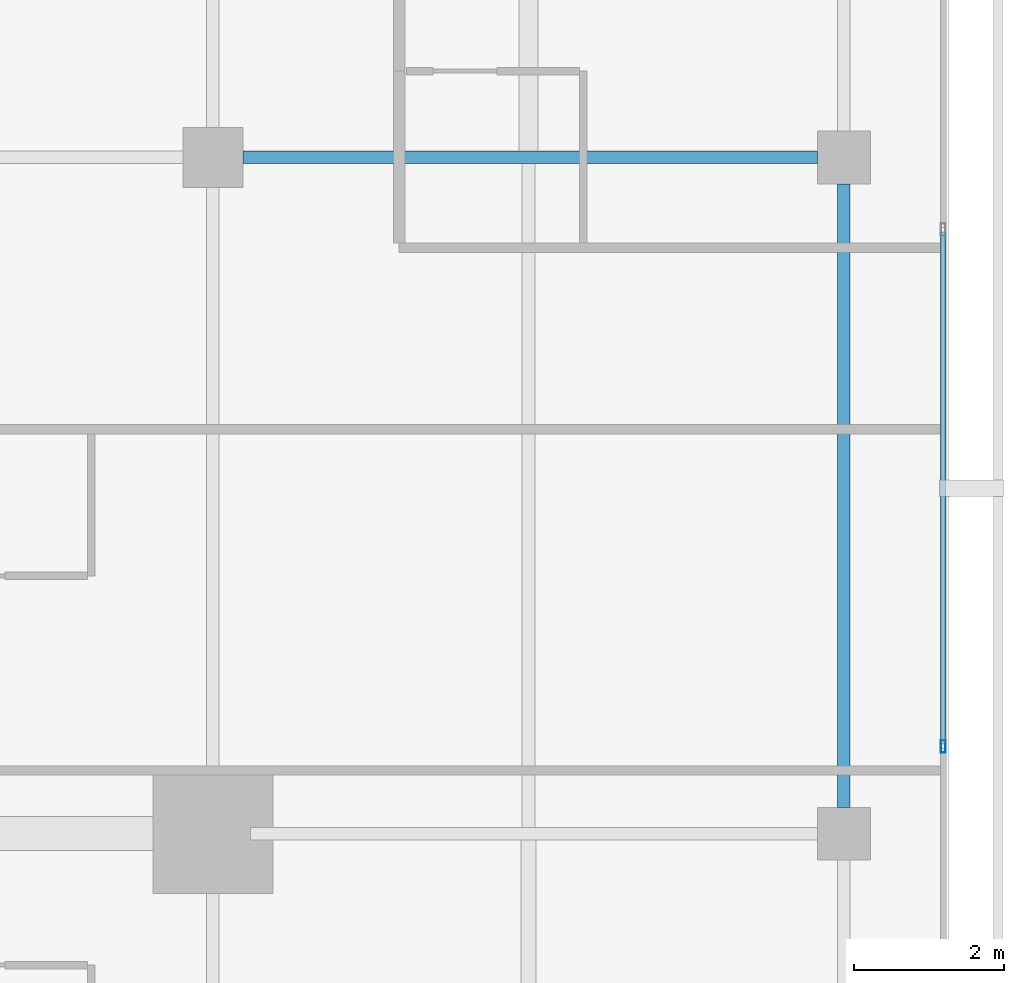
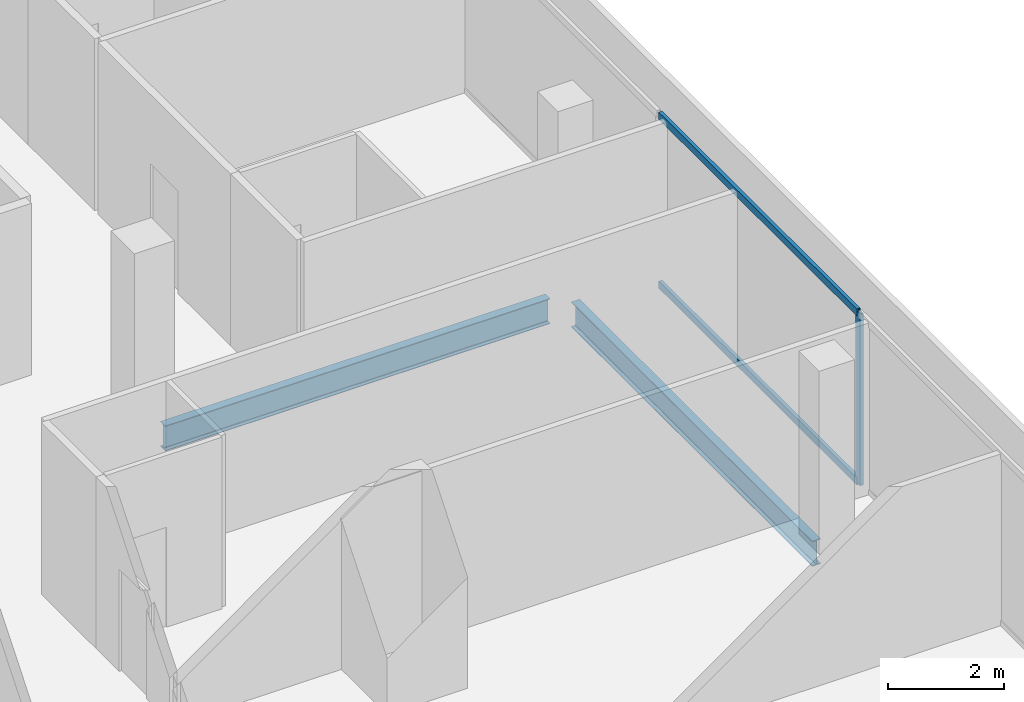
# One storey, part 14 of 26: 3 members, 2 beams, 1 element without a shape of its own.
"""IFC4 building model written with IfcOpenShell, lengths in metres."""

from ifc_helpers import new_model, si_unit, direction, frame, origin, origin_2d, place, context, subcontext, project, spatial, hollow_rectangle, i_section, extrude, material, layer, layer_set, material_profile, profile_set, type_object, element, aggregate, save


model = new_model("IFC4")

# Units and contexts
model_context = context("Model", 3, precision=1e-05, world=origin(), true_north=direction((0.0, 1.0)))
body_context = subcontext(model_context, "Body", "Model", "MODEL_VIEW")
ifc_project = project(units=[si_unit("LENGTHUNIT", "METRE"), si_unit("AREAUNIT", "SQUARE_METRE"), si_unit("VOLUMEUNIT", "CUBIC_METRE"), si_unit("PLANEANGLEUNIT", "RADIAN"), si_unit("MASSUNIT", "GRAM", prefix="KILO")], contexts=[model_context])

# Site, building, storey
site_placement = place(None, origin())
site = spatial("IfcSite", under=ifc_project, at=site_placement, CompositionType="ELEMENT")
building_placement = place(site_placement, origin())
building = spatial("IfcBuilding", under=site, at=building_placement, Name="Maruvema Waterfront Hotel and Observation Tower", CompositionType="ELEMENT")
storey_placement = place(building_placement, frame((0.0, 0.0, 301.0)))
storey = spatial("IfcBuildingStorey", under=building, at=storey_placement, Name="L74", CompositionType="ELEMENT", Elevation=301.0)

# Curtain wall, members
ifc_material_1 = material(Name="Anodised bronze aluminium and solar-control low-E IGU", Category="aluminium")
ifc_layer = layer(ifc_material_1, 0.159912109375, Name="Zone 3 Champagne Inner Thermal Curtain Wall System CW-04")
ifc_layer_set = layer_set([ifc_layer], Name="Anodised bronze aluminium and solar-control low-E IGU")
curtain_wall_type = type_object("IfcCurtainWallType", Name="Zone 3 Champagne Inner Thermal Curtain Wall System CW-04", PredefinedType="USERDEFINED", material=ifc_layer_set)
curtain_wall_placement = place(storey_placement, origin())
curtain_wall = element("IfcCurtainWall", 1, at=curtain_wall_placement, inside=storey, type_object=curtain_wall_type, Name="L74 Curtain Wall CW-L74-E", ObjectType="UNITISED CURTAIN WALL", PredefinedType="USERDEFINED")
ifc_material_2 = material(Name="Anodised architectural bronze aluminium", Category="aluminium")
ifc_material_profile_1 = material_profile(ifc_material_2, hollow_rectangle(XDim=0.070068359375, YDim=0.14990234375, WallThickness=0.00390625, at=origin_2d()), Name="ALU-T70x150")
ifc_profile_set_1 = profile_set([ifc_material_profile_1], Name="Anodised architectural bronze aluminium")
member_type_1 = type_object("IfcMemberType", Name="Curtain Wall Horizontal Transom ALU-T70x150", PredefinedType="USERDEFINED", material=ifc_profile_set_1)
member_1_placement = place(storey_placement, frame((60.1201171875, 28.18994140625, 0.030029296875), z_axis=(0.0, 1.0, 0.0), x_axis=(-1.0, 0.0, 0.0)))
member_1 = element("IfcMember", 2, at=member_1_placement, type_object=member_type_1, Name="CW-04 transom 3.1", ObjectType="TRANSOM", PredefinedType="USERDEFINED", context=body_context, shape_type="SweptSolid", body=[
    extrude(hollow_rectangle(XDim=0.070068359375, YDim=0.14990234375, WallThickness=0.00390625, at=origin_2d()), origin(), (0.0, 0.0, 1.0), 6.820068359375),
])
member_2_placement = place(storey_placement, frame((60.1201171875, 28.18994140625, 3.580078125), z_axis=(0.0, 1.0, 0.0), x_axis=(-1.0, 0.0, 0.0)))
member_2 = element("IfcMember", 3, at=member_2_placement, type_object=member_type_1, Name="CW-04 transom 3.2", ObjectType="TRANSOM", PredefinedType="USERDEFINED", context=body_context, shape_type="SweptSolid", body=[
    extrude(hollow_rectangle(XDim=0.070068359375, YDim=0.14990234375, WallThickness=0.00390625, at=origin_2d()), origin(), (0.0, 0.0, 1.0), 6.820068359375),
])
ifc_material_3 = material(Name="Anodised architectural bronze aluminium", Category="aluminium")
ifc_material_profile_2 = material_profile(ifc_material_3, hollow_rectangle(XDim=0.06494140625, YDim=0.1650390625, WallThickness=0.00390625, at=origin_2d()), Name="ALU-M65x165")
ifc_profile_set_2 = profile_set([ifc_material_profile_2], Name="Anodised architectural bronze aluminium")
member_type_2 = type_object("IfcMemberType", Name="Curtain Wall Primary Mullion ALU-M65x165", PredefinedType="MULLION", material=ifc_profile_set_2)
member_3_placement = place(storey_placement, frame((60.1201171875, 28.159912109375, 0.0), z_axis=(0.0, 0.0, 1.0), x_axis=(-1.0, 0.0, 0.0)))
member_3 = element("IfcMember", 4, at=member_3_placement, type_object=member_type_2, Name="CW-04 mullion 3", PredefinedType="MULLION", context=body_context, shape_type="SweptSolid", body=[
    extrude(hollow_rectangle(XDim=0.06494140625, YDim=0.1650390625, WallThickness=0.00390625, at=origin_2d()), origin(), (0.0, 0.0, 1.0), 3.610107421875),
])
aggregate(curtain_wall, [member_3, member_1, member_2])

# Beams
ifc_material_4 = material(Name="Steel ASTM A572 Grade 50", Category="steel")
ifc_material_profile_3 = material_profile(ifc_material_4, i_section(OverallWidth=0.166015625, OverallDepth=0.529052734375, WebThickness=0.009765625, FlangeThickness=0.013671875, FilletRadius=0.014892578125, at=origin_2d()), Name="W530x74.0")
ifc_profile_set_3 = profile_set([ifc_material_profile_3], Name="Steel ASTM A572 Grade 50")
beam_type = type_object("IfcBeamType", Name="Primary Floor Girder W530x74.0", PredefinedType="BEAM", material=ifc_profile_set_3)
beam_1_placement = place(storey_placement, frame((50.800048828125, 36.0, -0.50439453125), z_axis=(1.0, 0.0, 0.0), x_axis=(0.0, 1.0, 0.0)))
element("IfcBeam", 5, at=beam_1_placement, inside=storey, type_object=beam_type, Name="L74 Floor Girder EW-16", PredefinedType="BEAM", context=body_context, shape_type="SweptSolid", body=[
    extrude(i_section(OverallWidth=0.166015625, OverallDepth=0.529052734375, WebThickness=0.009765625, FlangeThickness=0.013671875, FilletRadius=0.014892578125, at=origin_2d()), origin(), (0.0, 0.0, 1.0), 7.64990234375),
])
beam_2_placement = place(storey_placement, frame((58.800048828125, 27.35009765625, -0.50439453125), z_axis=(0.0, 1.0, 0.0), x_axis=(-1.0, 0.0, 0.0)))
element("IfcBeam", 6, at=beam_2_placement, inside=storey, type_object=beam_type, Name="L74 Floor Girder NS-17", PredefinedType="BEAM", context=body_context, shape_type="SweptSolid", body=[
    extrude(i_section(OverallWidth=0.166015625, OverallDepth=0.529052734375, WebThickness=0.009765625, FlangeThickness=0.013671875, FilletRadius=0.014892578125, at=origin_2d()), origin(), (0.0, 0.0, 1.0), 8.2998046875),
])

save(model, "model.ifc")
